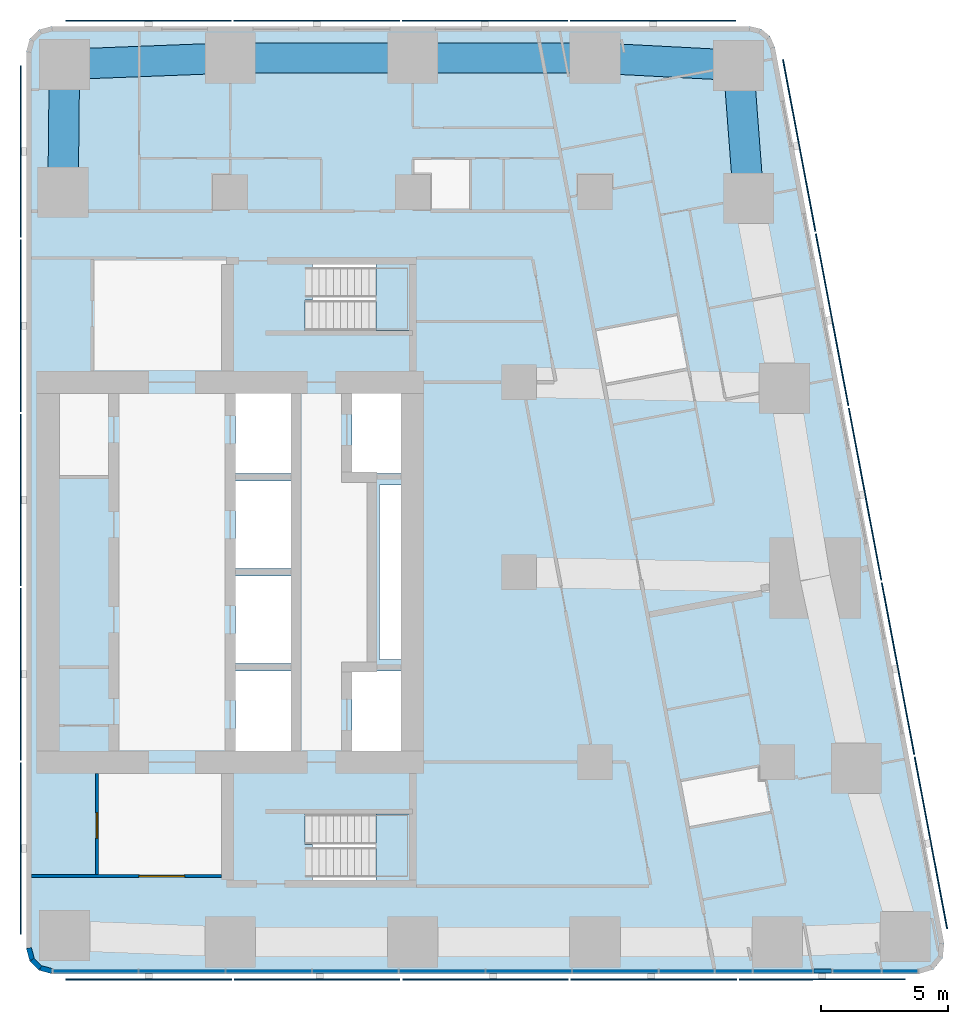
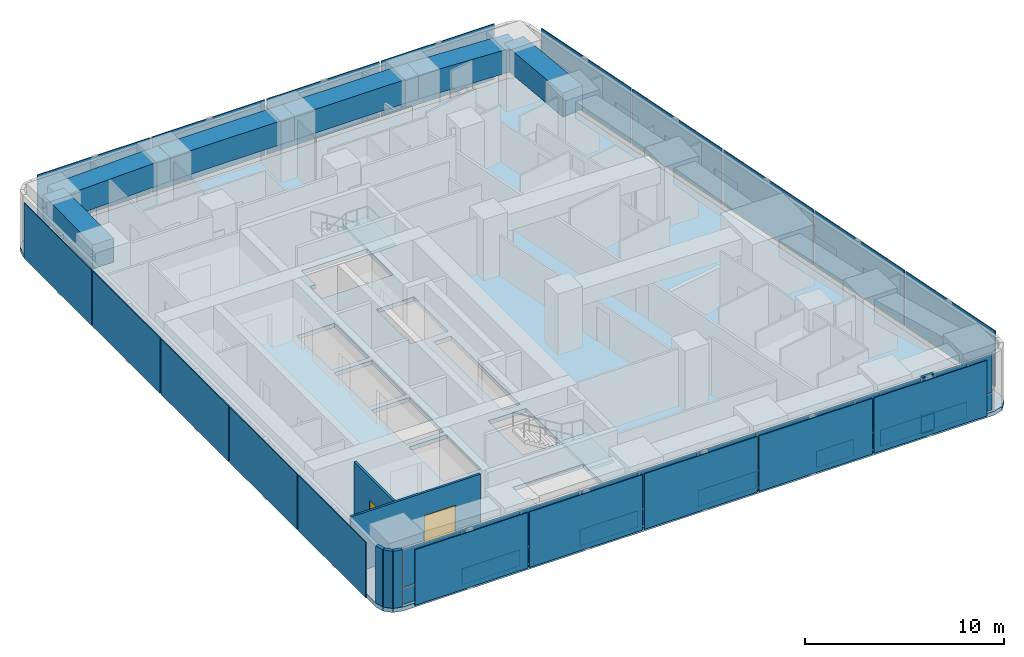
# One storey, part 4 of 10: 45 plates, 6 beams, 5 walls, 3 members, 3 slabs, 2 doors, 2 openings, 3 elements without a shape of their own.
"""IFC4 building model written with IfcOpenShell, lengths in metres."""

from ifc_helpers import new_model, si_unit, direction, frame, frame_2d, origin, origin_2d, place, context, subcontext, project, spatial, polyline, rectangle, outline, extrude, material, layer, layer_set, material_profile, profile_set, type_object, element, fill, aggregate, save


model = new_model("IFC4")

# Units and contexts
model_context = context("Model", 3, precision=1e-05, world=origin(), true_north=direction((0.0, 1.0)))
body_context = subcontext(model_context, "Body", "Model", "MODEL_VIEW")
ifc_project = project(units=[si_unit("LENGTHUNIT", "METRE"), si_unit("AREAUNIT", "SQUARE_METRE"), si_unit("VOLUMEUNIT", "CUBIC_METRE"), si_unit("PLANEANGLEUNIT", "RADIAN"), si_unit("MASSUNIT", "GRAM", prefix="KILO")], contexts=[model_context])

# Site, building, storey
site_placement = place(None, origin())
site = spatial("IfcSite", under=ifc_project, at=site_placement, CompositionType="ELEMENT")
building_placement = place(site_placement, origin())
building = spatial("IfcBuilding", under=site, at=building_placement, Name="Sheger Commons Tower", CompositionType="ELEMENT")
storey_placement = place(building_placement, frame((0.0, 0.0, 285.35009765625)))
storey = spatial("IfcBuildingStorey", under=building, at=storey_placement, Name="L73", CompositionType="ELEMENT", Elevation=285.35009765625)

# Beams
ifc_material_1 = material(Name="Concrete C50/60", Category="concrete")
ifc_material_profile_1 = material_profile(ifc_material_1, rectangle(XDim=1.199951171875, YDim=1.449951171875, at=origin_2d()), Name="RC 1200x1450")
ifc_profile_set_1 = profile_set([ifc_material_profile_1], Name="Concrete C50/60")
beam_type = type_object("IfcBeamType", Name="SPANDREL RC 1200x1450", PredefinedType="SPANDREL", material=ifc_profile_set_1)
beam_1_placement = place(storey_placement, frame((42.06396484375, 37.262939453125, 2.77490234375), z_axis=(-0.075496345854, 0.997146078447, 0.0), x_axis=(-0.997146078447, -0.075496345854, 0.0)))
element("IfcBeam", 1, at=beam_1_placement, inside=storey, type_object=beam_type, Name="Beam E/F-E/G-1.8 under L74", PredefinedType="SPANDREL", context=body_context, shape_type="SweptSolid", body=[
    extrude(rectangle(XDim=1.199951171875, YDim=1.449951171875, at=origin_2d()), origin(), (0.0, 0.0, 1.0), 5.258056640625),
])
beam_2_placement = place(storey_placement, frame((41.6669921875, 42.506103515625, 2.77490234375), z_axis=(-0.998657474351, 0.051800086124, 0.0), x_axis=(-0.051800086124, -0.998657474351, 0.0)))
element("IfcBeam", 2, at=beam_2_placement, inside=storey, type_object=beam_type, Name="Beam E/G-1.8-6/G-1.8 under L74", PredefinedType="SPANDREL", context=body_context, shape_type="SweptSolid", body=[
    extrude(rectangle(XDim=1.199951171875, YDim=1.449951171875, at=origin_2d()), origin(), (0.0, 0.0, 1.0), 5.674560546875),
])
for number, where, z_axis, x_axis, name in (
    (3, (36.0, 42.800048828125, 2.77490234375), (-1.0, 0.0, 0.0), (0.0, -1.0, 0.0), "Beam 6/G-1.8-5/G-1.8 under L74"),
    (4, (28.800048828125, 42.800048828125, 2.77490234375), (-1.0, 0.0, 0.0), (0.0, -1.0, 0.0), "Beam 5/G-1.8-4/G-1.8 under L74"),
):
    element("IfcBeam", number, at=place(storey_placement, frame(where, z_axis=z_axis, x_axis=x_axis)), inside=storey, type_object=beam_type, Name=name, PredefinedType="SPANDREL", context=body_context, shape_type="SweptSolid", body=[
        extrude(rectangle(XDim=1.199951171875, YDim=1.449951171875, at=origin_2d()), origin(), (0.0, 0.0, 1.0), 7.199951171875),
    ])
beam_3_placement = place(storey_placement, frame((21.60009765625, 42.800048828125, 2.77490234375), z_axis=(-0.999247181966, -0.038795223079, 0.0), x_axis=(0.038795223079, -0.999247181966, 0.0)))
element("IfcBeam", 5, at=beam_3_placement, inside=storey, type_object=beam_type, Name="Beam 4/G-1.8-3/G-1.8 under L74", PredefinedType="SPANDREL", context=body_context, shape_type="SweptSolid", body=[
    extrude(rectangle(XDim=1.199951171875, YDim=1.449951171875, at=origin_2d()), origin(), (0.0, 0.0, 1.0), 6.551025390625),
])
beam_4_placement = place(storey_placement, frame((15.053955078125, 42.5458984375, 2.77490234375), z_axis=(-0.010692247282, -0.99994283629, 0.0), x_axis=(0.99994283629, -0.010692247282, 0.0)))
element("IfcBeam", 6, at=beam_4_placement, inside=storey, type_object=beam_type, Name="Beam 3/G-1.8-3/F under L74", PredefinedType="SPANDREL", context=body_context, shape_type="SweptSolid", body=[
    extrude(rectangle(XDim=1.199951171875, YDim=1.449951171875, at=origin_2d()), origin(), (0.0, 0.0, 1.0), 5.046142578125),
])

# Curtain wall, members, plates
ifc_material_2 = material(Name="Black aluminium curtain wall, dark tinted glazing", Category="aluminium")
curtain_wall_type = type_object("IfcCurtainWallType", Name="CURTAIN WALL CW5 SOUTH GALLERY", PredefinedType="USERDEFINED", material=ifc_material_2)
curtain_wall_placement = place(storey_placement, origin())
curtain_wall = element("IfcCurtainWall", 7, at=curtain_wall_placement, inside=storey, type_object=curtain_wall_type, Name="Curtain Wall Cw5 South Gallery S1 L73", ObjectType="UNITISED CURTAIN WALL", PredefinedType="USERDEFINED")
ifc_material_3 = material(Name="Black anodised aluminium", Category="aluminium")
ifc_material_profile_2 = material_profile(ifc_material_3, rectangle(XDim=0.14990234375, YDim=0.06494140625, at=origin_2d()), Name="AL 65x150")
ifc_profile_set_2 = profile_set([ifc_material_profile_2], Name="Black anodised aluminium")
member_type = type_object("IfcMemberType", Name="TRANSOM AL 65x150", PredefinedType="USERDEFINED", material=ifc_profile_set_2)
member_1_placement = place(storey_placement, frame((44.638427734375, 6.75, 0.032470703125), z_axis=(1.0, 0.0, 0.0), x_axis=(0.0, 1.0, 0.0)))
member_1 = element("IfcMember", 8, at=member_1_placement, type_object=member_type, Name="CW5 transom 11.1", ObjectType="TRANSOM", PredefinedType="USERDEFINED", context=body_context, shape_type="SweptSolid", body=[
    extrude(rectangle(XDim=0.14990234375, YDim=0.06494140625, at=origin_2d()), origin(), (0.0, 0.0, 1.0), 0.694091796875),
])
member_2_placement = place(storey_placement, frame((44.638427734375, 6.75, 1.099853515625), z_axis=(1.0, 0.0, 0.0), x_axis=(0.0, 1.0, 0.0)))
member_2 = element("IfcMember", 9, at=member_2_placement, type_object=member_type, Name="CW5 transom 11.2", ObjectType="TRANSOM", PredefinedType="USERDEFINED", context=body_context, shape_type="SweptSolid", body=[
    extrude(rectangle(XDim=0.14990234375, YDim=0.06494140625, at=origin_2d()), origin(), (0.0, 0.0, 1.0), 0.694091796875),
])
member_3_placement = place(storey_placement, frame((44.638427734375, 6.75, 3.46728515625), z_axis=(1.0, 0.0, 0.0), x_axis=(0.0, 1.0, 0.0)))
member_3 = element("IfcMember", 10, at=member_3_placement, type_object=member_type, Name="CW5 transom 11.3", ObjectType="TRANSOM", PredefinedType="USERDEFINED", context=body_context, shape_type="SweptSolid", body=[
    extrude(rectangle(XDim=0.14990234375, YDim=0.06494140625, at=origin_2d()), origin(), (0.0, 0.0, 1.0), 0.694091796875),
])
ifc_material_4 = material(Name="Dark tinted double glazing", Category="glass")
ifc_layer_1 = layer(ifc_material_4, 0.031982421875)
ifc_layer_set_1 = layer_set([ifc_layer_1], Name="GLAZED PANEL 32")
plate_type_1 = type_object("IfcPlateType", Name="GLAZED PANEL 32", PredefinedType="CURTAIN_PANEL", material=ifc_layer_set_1)
plate_1_placement = place(storey_placement, frame((16.290283203125, 6.75, 0.06494140625), z_axis=(0.0, 0.0, 1.0), x_axis=(1.0, 0.0, 0.0)))
plate_1 = element("IfcPlate", 11, at=plate_1_placement, type_object=plate_type_1, Name="CW5 panel 1.1", PredefinedType="CURTAIN_PANEL", context=body_context, shape_type="SweptSolid", body=[
    extrude(rectangle(XDim=3.324462890625, YDim=0.031982421875, at=origin_2d()), origin(), (0.0, 0.0, 1.0), 1.00244140625),
])
plate_2_placement = place(storey_placement, frame((16.290283203125, 6.75, 1.13232421875), z_axis=(0.0, 0.0, 1.0), x_axis=(1.0, 0.0, 0.0)))
plate_2 = element("IfcPlate", 12, at=plate_2_placement, type_object=plate_type_1, Name="CW5 panel 1.2", PredefinedType="CURTAIN_PANEL", context=body_context, shape_type="SweptSolid", body=[
    extrude(rectangle(XDim=3.324462890625, YDim=0.031982421875, at=origin_2d()), origin(), (0.0, 0.0, 1.0), 2.302490234375),
])
plate_3_placement = place(storey_placement, frame((19.696533203125, 6.75, 0.06494140625), z_axis=(0.0, 0.0, 1.0), x_axis=(1.0, 0.0, 0.0)))
plate_3 = element("IfcPlate", 13, at=plate_3_placement, type_object=plate_type_1, Name="CW5 panel 2.1", PredefinedType="CURTAIN_PANEL", context=body_context, shape_type="SweptSolid", body=[
    extrude(rectangle(XDim=3.35791015625, YDim=0.031982421875, at=origin_2d()), origin(), (0.0, 0.0, 1.0), 1.00244140625),
])
plate_4_placement = place(storey_placement, frame((19.696533203125, 6.75, 1.13232421875), z_axis=(0.0, 0.0, 1.0), x_axis=(1.0, 0.0, 0.0)))
plate_4 = element("IfcPlate", 14, at=plate_4_placement, type_object=plate_type_1, Name="CW5 panel 2.2", PredefinedType="CURTAIN_PANEL", context=body_context, shape_type="SweptSolid", body=[
    extrude(rectangle(XDim=3.35791015625, YDim=0.031982421875, at=origin_2d()), origin(), (0.0, 0.0, 1.0), 2.302490234375),
])
plate_5_placement = place(storey_placement, frame((23.118896484375, 6.75, 0.06494140625), z_axis=(0.0, 0.0, 1.0), x_axis=(1.0, 0.0, 0.0)))
plate_5 = element("IfcPlate", 15, at=plate_5_placement, type_object=plate_type_1, Name="CW5 panel 3.1", PredefinedType="CURTAIN_PANEL", context=body_context, shape_type="SweptSolid", body=[
    extrude(rectangle(XDim=3.35693359375, YDim=0.031982421875, at=origin_2d()), origin(), (0.0, 0.0, 1.0), 1.00244140625),
])
plate_6_placement = place(storey_placement, frame((23.118896484375, 6.75, 1.13232421875), z_axis=(0.0, 0.0, 1.0), x_axis=(1.0, 0.0, 0.0)))
plate_6 = element("IfcPlate", 16, at=plate_6_placement, type_object=plate_type_1, Name="CW5 panel 3.2", PredefinedType="CURTAIN_PANEL", context=body_context, shape_type="SweptSolid", body=[
    extrude(rectangle(XDim=3.35693359375, YDim=0.031982421875, at=origin_2d()), origin(), (0.0, 0.0, 1.0), 2.302490234375),
])
plate_7_placement = place(storey_placement, frame((26.54150390625, 6.75, 0.06494140625), z_axis=(0.0, 0.0, 1.0), x_axis=(1.0, 0.0, 0.0)))
plate_7 = element("IfcPlate", 17, at=plate_7_placement, type_object=plate_type_1, Name="CW5 panel 4.1", PredefinedType="CURTAIN_PANEL", context=body_context, shape_type="SweptSolid", body=[
    extrude(rectangle(XDim=3.35791015625, YDim=0.031982421875, at=origin_2d()), origin(), (0.0, 0.0, 1.0), 1.00244140625),
])
plate_8_placement = place(storey_placement, frame((26.54150390625, 6.75, 1.13232421875), z_axis=(0.0, 0.0, 1.0), x_axis=(1.0, 0.0, 0.0)))
plate_8 = element("IfcPlate", 18, at=plate_8_placement, type_object=plate_type_1, Name="CW5 panel 4.2", PredefinedType="CURTAIN_PANEL", context=body_context, shape_type="SweptSolid", body=[
    extrude(rectangle(XDim=3.35791015625, YDim=0.031982421875, at=origin_2d()), origin(), (0.0, 0.0, 1.0), 2.302490234375),
])
plate_9_placement = place(storey_placement, frame((29.964111328125, 6.75, 0.06494140625), z_axis=(0.0, 0.0, 1.0), x_axis=(1.0, 0.0, 0.0)))
plate_9 = element("IfcPlate", 19, at=plate_9_placement, type_object=plate_type_1, Name="CW5 panel 5.1", PredefinedType="CURTAIN_PANEL", context=body_context, shape_type="SweptSolid", body=[
    extrude(rectangle(XDim=3.35693359375, YDim=0.031982421875, at=origin_2d()), origin(), (0.0, 0.0, 1.0), 1.00244140625),
])
plate_10_placement = place(storey_placement, frame((29.964111328125, 6.75, 1.13232421875), z_axis=(0.0, 0.0, 1.0), x_axis=(1.0, 0.0, 0.0)))
plate_10 = element("IfcPlate", 20, at=plate_10_placement, type_object=plate_type_1, Name="CW5 panel 5.2", PredefinedType="CURTAIN_PANEL", context=body_context, shape_type="SweptSolid", body=[
    extrude(rectangle(XDim=3.35693359375, YDim=0.031982421875, at=origin_2d()), origin(), (0.0, 0.0, 1.0), 2.302490234375),
])
plate_11_placement = place(storey_placement, frame((33.385986328125, 6.75, 0.06494140625), z_axis=(0.0, 0.0, 1.0), x_axis=(1.0, 0.0, 0.0)))
plate_11 = element("IfcPlate", 21, at=plate_11_placement, type_object=plate_type_1, Name="CW5 panel 6.1", PredefinedType="CURTAIN_PANEL", context=body_context, shape_type="SweptSolid", body=[
    extrude(rectangle(XDim=3.35693359375, YDim=0.031982421875, at=origin_2d()), origin(), (0.0, 0.0, 1.0), 1.00244140625),
])
plate_12_placement = place(storey_placement, frame((33.385986328125, 6.75, 1.13232421875), z_axis=(0.0, 0.0, 1.0), x_axis=(1.0, 0.0, 0.0)))
plate_12 = element("IfcPlate", 22, at=plate_12_placement, type_object=plate_type_1, Name="CW5 panel 6.2", PredefinedType="CURTAIN_PANEL", context=body_context, shape_type="SweptSolid", body=[
    extrude(rectangle(XDim=3.35693359375, YDim=0.031982421875, at=origin_2d()), origin(), (0.0, 0.0, 1.0), 2.302490234375),
])
plate_13_placement = place(storey_placement, frame((36.80859375, 6.75, 0.06494140625), z_axis=(0.0, 0.0, 1.0), x_axis=(1.0, 0.0, 0.0)))
plate_13 = element("IfcPlate", 23, at=plate_13_placement, type_object=plate_type_1, Name="CW5 panel 7.1", PredefinedType="CURTAIN_PANEL", context=body_context, shape_type="SweptSolid", body=[
    extrude(rectangle(XDim=3.35791015625, YDim=0.031982421875, at=origin_2d()), origin(), (0.0, 0.0, 1.0), 1.00244140625),
])
plate_14_placement = place(storey_placement, frame((36.80859375, 6.75, 1.13232421875), z_axis=(0.0, 0.0, 1.0), x_axis=(1.0, 0.0, 0.0)))
plate_14 = element("IfcPlate", 24, at=plate_14_placement, type_object=plate_type_1, Name="CW5 panel 7.2", PredefinedType="CURTAIN_PANEL", context=body_context, shape_type="SweptSolid", body=[
    extrude(rectangle(XDim=3.35791015625, YDim=0.031982421875, at=origin_2d()), origin(), (0.0, 0.0, 1.0), 2.302490234375),
])
plate_15_placement = place(storey_placement, frame((39.62451171875, 6.75, 0.06494140625), z_axis=(0.0, 0.0, 1.0), x_axis=(1.0, 0.0, 0.0)))
plate_15 = element("IfcPlate", 25, at=plate_15_placement, type_object=plate_type_1, Name="CW5 panel 8.1", PredefinedType="CURTAIN_PANEL", context=body_context, shape_type="SweptSolid", body=[
    extrude(rectangle(XDim=2.14404296875, YDim=0.031982421875, at=origin_2d()), origin(), (0.0, 0.0, 1.0), 1.00244140625),
])
plate_16_placement = place(storey_placement, frame((39.62451171875, 6.75, 1.13232421875), z_axis=(0.0, 0.0, 1.0), x_axis=(1.0, 0.0, 0.0)))
plate_16 = element("IfcPlate", 26, at=plate_16_placement, type_object=plate_type_1, Name="CW5 panel 8.2", PredefinedType="CURTAIN_PANEL", context=body_context, shape_type="SweptSolid", body=[
    extrude(rectangle(XDim=2.14404296875, YDim=0.031982421875, at=origin_2d()), origin(), (0.0, 0.0, 1.0), 2.302490234375),
])
plate_17_placement = place(storey_placement, frame((41.478515625, 6.75, 0.06494140625), z_axis=(0.0, 0.0, 1.0), x_axis=(1.0, 0.0, 0.0)))
plate_17 = element("IfcPlate", 27, at=plate_17_placement, type_object=plate_type_1, Name="CW5 panel 9.1", PredefinedType="CURTAIN_PANEL", context=body_context, shape_type="SweptSolid", body=[
    extrude(rectangle(XDim=1.43408203125, YDim=0.031982421875, at=origin_2d()), origin(), (0.0, 0.0, 1.0), 1.00244140625),
])
plate_18_placement = place(storey_placement, frame((41.478515625, 6.75, 1.13232421875), z_axis=(0.0, 0.0, 1.0), x_axis=(1.0, 0.0, 0.0)))
plate_18 = element("IfcPlate", 28, at=plate_18_placement, type_object=plate_type_1, Name="CW5 panel 9.2", PredefinedType="CURTAIN_PANEL", context=body_context, shape_type="SweptSolid", body=[
    extrude(rectangle(XDim=1.43408203125, YDim=0.031982421875, at=origin_2d()), origin(), (0.0, 0.0, 1.0), 2.302490234375),
])
plate_19_placement = place(storey_placement, frame((43.4169921875, 6.75, 0.06494140625), z_axis=(0.0, 0.0, 1.0), x_axis=(1.0, 0.0, 0.0)))
plate_19 = element("IfcPlate", 29, at=plate_19_placement, type_object=plate_type_1, Name="CW5 panel 10.1", PredefinedType="CURTAIN_PANEL", context=body_context, shape_type="SweptSolid", body=[
    extrude(rectangle(XDim=2.31298828125, YDim=0.031982421875, at=origin_2d()), origin(), (0.0, 0.0, 1.0), 1.00244140625),
])
plate_20_placement = place(storey_placement, frame((43.4169921875, 6.75, 1.13232421875), z_axis=(0.0, 0.0, 1.0), x_axis=(1.0, 0.0, 0.0)))
plate_20 = element("IfcPlate", 30, at=plate_20_placement, type_object=plate_type_1, Name="CW5 panel 10.2", PredefinedType="CURTAIN_PANEL", context=body_context, shape_type="SweptSolid", body=[
    extrude(rectangle(XDim=2.31298828125, YDim=0.031982421875, at=origin_2d()), origin(), (0.0, 0.0, 1.0), 2.302490234375),
])
plate_21_placement = place(storey_placement, frame((44.985595703125, 6.75, 0.06494140625), z_axis=(0.0, 0.0, 1.0), x_axis=(1.0, 0.0, 0.0)))
plate_21 = element("IfcPlate", 31, at=plate_21_placement, type_object=plate_type_1, Name="CW5 panel 11.1", PredefinedType="CURTAIN_PANEL", context=body_context, shape_type="SweptSolid", body=[
    extrude(rectangle(XDim=0.694091796875, YDim=0.031982421875, at=origin_2d()), origin(), (0.0, 0.0, 1.0), 1.00244140625),
])
plate_22_placement = place(storey_placement, frame((44.985595703125, 6.75, 1.13232421875), z_axis=(0.0, 0.0, 1.0), x_axis=(1.0, 0.0, 0.0)))
plate_22 = element("IfcPlate", 32, at=plate_22_placement, type_object=plate_type_1, Name="CW5 panel 11.2", PredefinedType="CURTAIN_PANEL", context=body_context, shape_type="SweptSolid", body=[
    extrude(rectangle(XDim=0.694091796875, YDim=0.031982421875, at=origin_2d()), origin(), (0.0, 0.0, 1.0), 2.302490234375),
])
plate_23_placement = place(storey_placement, frame((46.342041015625, 6.75, 0.06494140625), z_axis=(0.0, 0.0, 1.0), x_axis=(1.0, 0.0, 0.0)))
plate_23 = element("IfcPlate", 33, at=plate_23_placement, type_object=plate_type_1, Name="CW5 panel 12.1", PredefinedType="CURTAIN_PANEL", context=body_context, shape_type="SweptSolid", body=[
    extrude(rectangle(XDim=1.888916015625, YDim=0.031982421875, at=origin_2d()), origin(), (0.0, 0.0, 1.0), 1.00244140625),
])
plate_24_placement = place(storey_placement, frame((46.342041015625, 6.75, 1.13232421875), z_axis=(0.0, 0.0, 1.0), x_axis=(1.0, 0.0, 0.0)))
plate_24 = element("IfcPlate", 34, at=plate_24_placement, type_object=plate_type_1, Name="CW5 panel 12.2", PredefinedType="CURTAIN_PANEL", context=body_context, shape_type="SweptSolid", body=[
    extrude(rectangle(XDim=1.888916015625, YDim=0.031982421875, at=origin_2d()), origin(), (0.0, 0.0, 1.0), 2.302490234375),
])
plate_25_placement = place(storey_placement, frame((48.036865234375, 6.75, 0.06494140625), z_axis=(0.0, 0.0, 1.0), x_axis=(1.0, 0.0, 0.0)))
plate_25 = element("IfcPlate", 35, at=plate_25_placement, type_object=plate_type_1, Name="CW5 panel 13.1", PredefinedType="CURTAIN_PANEL", context=body_context, shape_type="SweptSolid", body=[
    extrude(rectangle(XDim=1.37060546875, YDim=0.031982421875, at=origin_2d()), origin(), (0.0, 0.0, 1.0), 1.00244140625),
])
plate_26_placement = place(storey_placement, frame((48.036865234375, 6.75, 1.13232421875), z_axis=(0.0, 0.0, 1.0), x_axis=(1.0, 0.0, 0.0)))
plate_26 = element("IfcPlate", 36, at=plate_26_placement, type_object=plate_type_1, Name="CW5 panel 13.2", PredefinedType="CURTAIN_PANEL", context=body_context, shape_type="SweptSolid", body=[
    extrude(rectangle(XDim=1.37060546875, YDim=0.031982421875, at=origin_2d()), origin(), (0.0, 0.0, 1.0), 2.302490234375),
])
aggregate(curtain_wall, [plate_1, plate_2, plate_3, plate_4, plate_5, plate_6, plate_7, plate_8, plate_9, plate_10, plate_11, plate_12, plate_13, plate_14, plate_15, plate_16, plate_17, plate_18, plate_19, plate_20, member_1, member_2, member_3, plate_21, plate_22, plate_23, plate_24, plate_25, plate_26])

# Slab
ifc_material_5 = material(Name="Concrete C35/45", Category="concrete")
ifc_layer_2 = layer(ifc_material_5, 0.25)
ifc_layer_set_2 = layer_set([ifc_layer_2], Name="SLAB FLOOR 250")
slab_type_1 = type_object("IfcSlabType", Name="SLAB FLOOR 250", PredefinedType="FLOOR", material=ifc_layer_set_2)
slab_1_placement = place(storey_placement, frame((0.0, 0.0, -0.25)))
element("IfcSlab", 37, at=slab_1_placement, inside=storey, type_object=slab_type_1, Name="L73 floor slab", PredefinedType="FLOOR", context=body_context, shape_type="SweptSolid", body=[
    extrude(outline(polyline([(13.550048828125, 7.64990234375), (13.68408203125, 7.14990234375), (14.050048828125, 6.783935546875), (14.550048828125, 6.64990234375), (48.802001953125, 6.64990234375), (49.35498046875, 6.81689453125), (49.72412109375, 7.260986328125), (49.784912109375, 7.8359375), (43.097900390625, 43.236083984375), (42.912109375, 43.654052734375), (42.56005859375, 43.945068359375), (42.114990234375, 44.050048828125), (14.550048828125, 44.050048828125), (14.050048828125, 43.916015625), (13.68408203125, 43.550048828125), (13.550048828125, 43.050048828125), (13.550048828125, 7.64990234375)]), holes=[polyline([(24.85009765625, 10.35009765625), (28.64990234375, 10.35009765625), (28.64990234375, 12.949951171875), (24.551025390625, 12.949951171875), (24.551025390625, 11.75), (24.85009765625, 11.75), (24.85009765625, 10.35009765625)]), polyline([(24.551025390625, 32.050048828125), (28.64990234375, 32.050048828125), (28.64990234375, 34.64990234375), (24.85009765625, 34.64990234375), (24.85009765625, 33.25), (24.551025390625, 33.25), (24.551025390625, 32.050048828125)]), polyline([(26.39990234375, 15.14990234375), (28.60009765625, 15.14990234375), (28.60009765625, 18.60009765625), (26.39990234375, 18.60009765625), (26.39990234375, 15.14990234375)]), polyline([(26.39990234375, 26.39990234375), (28.60009765625, 26.39990234375), (28.60009765625, 29.85009765625), (26.39990234375, 29.85009765625), (26.39990234375, 26.39990234375)]), polyline([(21.800048828125, 15.14990234375), (24.0, 15.14990234375), (24.0, 18.60009765625), (21.800048828125, 18.60009765625), (21.800048828125, 15.14990234375)]), polyline([(21.800048828125, 18.89990234375), (24.0, 18.89990234375), (24.0, 22.35009765625), (21.800048828125, 22.35009765625), (21.800048828125, 18.89990234375)]), polyline([(21.800048828125, 22.64990234375), (24.0, 22.64990234375), (24.0, 26.10009765625), (21.800048828125, 26.10009765625), (21.800048828125, 22.64990234375)]), polyline([(21.800048828125, 26.39990234375), (24.0, 26.39990234375), (24.0, 29.85009765625), (21.800048828125, 29.85009765625), (21.800048828125, 26.39990234375)]), polyline([(27.5, 19.050048828125), (28.5, 19.050048828125), (28.5, 25.949951171875), (27.5, 25.949951171875), (27.5, 19.050048828125)])]), origin(), (0.0, 0.0, 1.0), 0.25),
])

# Plates
ifc_material_6 = material(Name="Perforated black anodised aluminium screen", Category="aluminium")
ifc_layer_3 = layer(ifc_material_6, 0.050048828125)
ifc_layer_set_3 = layer_set([ifc_layer_3], Name="SOLAR SCREEN SCREEN-1")
plate_type_2 = type_object("IfcPlateType", Name="SOLAR SCREEN SCREEN-1", PredefinedType="USERDEFINED", material=ifc_layer_set_3)
for number, where, z_axis, x_axis, name in (
    (38, (18.375, 6.425048828125, 0.050048828125), (0.0, 0.0, 1.0), (1.0, 0.0, 0.0), "Perforated solar screen panel"),
    (39, (25.02587890625, 6.425048828125, 0.050048828125), (0.0, 0.0, 1.0), (1.0, 0.0, 0.0), "Perforated solar screen panel"),
    (40, (31.676025390625, 6.425048828125, 0.050048828125), (0.0, 0.0, 1.0), (1.0, 0.0, 0.0), "Perforated solar screen panel"),
    (41, (38.325927734375, 6.425048828125, 0.050048828125), (0.0, 0.0, 1.0), (1.0, 0.0, 0.0), "Perforated solar screen panel"),
    (42, (44.97705078125, 6.425048828125, 0.050048828125), (0.0, 0.0, 1.0), (1.0, 0.0, 0.0), "Perforated solar screen panel"),
):
    element("IfcPlate", number, at=place(storey_placement, frame(where, z_axis=z_axis, x_axis=x_axis)), inside=storey, type_object=plate_type_2, Name=name, ObjectType="SCREEN", PredefinedType="USERDEFINED", context=body_context, shape_type="SweptSolid", body=[
        extrude(rectangle(XDim=6.550048828125, YDim=0.050048828125, at=origin_2d()), origin(), (0.0, 0.0, 1.0), 3.39990234375),
    ])
for number, where, z_axis, x_axis, name in (
    (43, (49.262939453125, 11.81103515625, 0.050048828125), (0.0, 0.0, 1.0), (-0.185615165645, 0.982622516678, 0.0), "Perforated solar screen panel"),
    (44, (47.962890625, 18.694091796875, 0.050048828125), (0.0, 0.0, 1.0), (-0.185615165645, 0.982622516678, 0.0), "Perforated solar screen panel"),
    (45, (46.6630859375, 25.577880859375, 0.050048828125), (0.0, 0.0, 1.0), (-0.185615165645, 0.982622516678, 0.0), "Perforated solar screen panel"),
    (46, (45.362060546875, 32.4609375, 0.050048828125), (0.0, 0.0, 1.0), (-0.185615165645, 0.982622516678, 0.0), "Perforated solar screen panel"),
    (47, (44.06201171875, 39.344970703125, 0.050048828125), (0.0, 0.0, 1.0), (-0.185615165645, 0.982622516678, 0.0), "Perforated solar screen panel"),
):
    element("IfcPlate", number, at=place(storey_placement, frame(where, z_axis=z_axis, x_axis=x_axis)), inside=storey, type_object=plate_type_2, Name=name, ObjectType="SCREEN", PredefinedType="USERDEFINED", context=body_context, shape_type="SweptSolid", body=[
        extrude(rectangle(XDim=6.905029296875, YDim=0.050048828125, at=origin_2d()), origin(), (0.0, 0.0, 1.0), 3.39990234375),
    ])
for number, where, z_axis, x_axis, name in (
    (48, (38.2939453125, 44.27490234375, 0.050048828125), (0.0, 0.0, 1.0), (-1.0, 0.0, 0.0), "Perforated solar screen panel"),
    (49, (31.653076171875, 44.27490234375, 0.050048828125), (0.0, 0.0, 1.0), (-1.0, 0.0, 0.0), "Perforated solar screen panel"),
    (50, (25.011962890625, 44.27490234375, 0.050048828125), (0.0, 0.0, 1.0), (-1.0, 0.0, 0.0), "Perforated solar screen panel"),
    (51, (18.37109375, 44.27490234375, 0.050048828125), (0.0, 0.0, 1.0), (-1.0, 0.0, 0.0), "Perforated solar screen panel"),
):
    element("IfcPlate", number, at=place(storey_placement, frame(where, z_axis=z_axis, x_axis=x_axis)), inside=storey, type_object=plate_type_2, Name=name, ObjectType="SCREEN", PredefinedType="USERDEFINED", context=body_context, shape_type="SweptSolid", body=[
        extrude(rectangle(XDim=6.541015625, YDim=0.050048828125, at=origin_2d()), origin(), (0.0, 0.0, 1.0), 3.39990234375),
    ])
for number, where, z_axis, x_axis, name in (
    (52, (13.324951171875, 39.110107421875, 0.050048828125), (0.0, 0.0, 1.0), (0.0, -1.0, 0.0), "Perforated solar screen panel"),
    (53, (13.324951171875, 32.22998046875, 0.050048828125), (0.0, 0.0, 1.0), (0.0, -1.0, 0.0), "Perforated solar screen panel"),
    (54, (13.324951171875, 25.35009765625, 0.050048828125), (0.0, 0.0, 1.0), (0.0, -1.0, 0.0), "Perforated solar screen panel"),
    (55, (13.324951171875, 18.469970703125, 0.050048828125), (0.0, 0.0, 1.0), (0.0, -1.0, 0.0), "Perforated solar screen panel"),
    (56, (13.324951171875, 11.590087890625, 0.050048828125), (0.0, 0.0, 1.0), (0.0, -1.0, 0.0), "Perforated solar screen panel"),
):
    element("IfcPlate", number, at=place(storey_placement, frame(where, z_axis=z_axis, x_axis=x_axis)), inside=storey, type_object=plate_type_2, Name=name, ObjectType="SCREEN", PredefinedType="USERDEFINED", context=body_context, shape_type="SweptSolid", body=[
        extrude(rectangle(XDim=6.780029296875, YDim=0.050048828125, at=origin_2d()), origin(), (0.0, 0.0, 1.0), 3.39990234375),
    ])

# Stair, slab
ifc_material_7 = material(Name="Concrete C35/45", Category="concrete")
stair_type = type_object("IfcStairType", Name="HALF-TURN STAIR 1200 RISE 3750", PredefinedType="HALF_TURN_STAIR", material=ifc_material_7)
stair_1_placement = place(storey_placement, origin())
stair_1 = element("IfcStair", 57, at=stair_1_placement, inside=storey, type_object=stair_type, Name="Stair S1 L73", PredefinedType="HALF_TURN_STAIR")
ifc_material_8 = material(Name="Concrete C35/45", Category="concrete")
ifc_layer_4 = layer(ifc_material_8, 0.199951171875)
ifc_layer_set_4 = layer_set([ifc_layer_4], Name="STAIR LANDING 200")
slab_type_2 = type_object("IfcSlabType", Name="STAIR LANDING 200", PredefinedType="LANDING", material=ifc_layer_set_4)
slab_2_placement = place(storey_placement, frame((0.0, 0.0, 1.6748046875)))
slab_2 = element("IfcSlab", 58, at=slab_2_placement, type_object=slab_type_2, Name="S1 landing 1", PredefinedType="LANDING", context=body_context, shape_type="SweptSolid", body=[
    extrude(outline(polyline([(27.35009765625, 10.199951171875), (28.800048828125, 10.199951171875), (28.800048828125, 12.949951171875), (27.35009765625, 12.949951171875), (27.35009765625, 10.199951171875)])), origin(), (0.0, 0.0, 1.0), 0.2001953125),
])
aggregate(stair_1, [slab_2])

stair_2_placement = place(storey_placement, origin())
stair_2 = element("IfcStair", 59, at=stair_2_placement, inside=storey, type_object=stair_type, Name="Stair S2 L73", PredefinedType="HALF_TURN_STAIR")
slab_3_placement = place(storey_placement, frame((0.0, 0.0, 1.6748046875)))
slab_3 = element("IfcSlab", 60, at=slab_3_placement, type_object=slab_type_2, Name="S2 landing 1", PredefinedType="LANDING", context=body_context, shape_type="SweptSolid", body=[
    extrude(outline(polyline([(27.35009765625, 32.050048828125), (28.800048828125, 32.050048828125), (28.800048828125, 34.800048828125), (27.35009765625, 34.800048828125), (27.35009765625, 32.050048828125)])), origin(), (0.0, 0.0, 1.0), 0.2001953125),
])
aggregate(stair_2, [slab_3])

# Walls
ifc_material_9 = material(Name="Rendered concrete block masonry, dark grey", Category="masonry")
ifc_layer_5 = layer(ifc_material_9, 0.199951171875)
ifc_layer_set_5 = layer_set([ifc_layer_5], Name="FACADE WALL 200")
wall_type_1 = type_object("IfcWallType", Name="FACADE WALL 200", PredefinedType="SOLIDWALL", material=ifc_layer_set_5)
wall_1_placement = place(storey_placement, frame((13.64990234375, 7.6630859375, 0.0), z_axis=(0.0, 0.0, 1.0), x_axis=(0.259698463175, -0.965689757751, 0.0)))
element("IfcWall", 61, at=wall_1_placement, inside=storey, type_object=wall_type_1, Name="Facade wall L73", PredefinedType="SOLIDWALL", context=body_context, shape_type="SweptSolid", body=[
    extrude(rectangle(XDim=0.4775390625, YDim=0.199951171875, at=frame_2d((0.23876953125, 0.0))), origin(), (0.0, 0.0, 1.0), 3.5),
])
wall_2_placement = place(storey_placement, frame((13.77392578125, 7.201904296875, 0.0), z_axis=(0.0, 0.0, 1.0), x_axis=(0.707369890659, -0.706843573776, 0.0)))
element("IfcWall", 62, at=wall_2_placement, inside=storey, type_object=wall_type_1, Name="Facade wall L73", PredefinedType="SOLIDWALL", context=body_context, shape_type="SweptSolid", body=[
    extrude(rectangle(XDim=0.4638671875, YDim=0.199951171875, at=frame_2d((0.23193359375, 0.0))), origin(), (0.0, 0.0, 1.0), 3.5),
])
wall_3_placement = place(storey_placement, frame((14.10205078125, 6.8740234375, 0.0), z_axis=(0.0, 0.0, 1.0), x_axis=(0.965655254015, -0.259826731483, 0.0)))
element("IfcWall", 63, at=wall_3_placement, inside=storey, type_object=wall_type_1, Name="Facade wall L73", PredefinedType="SOLIDWALL", context=body_context, shape_type="SweptSolid", body=[
    extrude(rectangle(XDim=0.477294921875, YDim=0.199951171875, at=frame_2d((0.23876953125, 0.0))), origin(), (0.0, 0.0, 1.0), 3.5),
])

# Wall, opening, door
ifc_material_10 = material(Name="Gypsum board on steel studs, two layers each side, fire rated", Category="steel")
ifc_layer_6 = layer(ifc_material_10, 0.125)
ifc_layer_set_6 = layer_set([ifc_layer_6], Name="SERVICE WALL 125")
wall_type_2 = type_object("IfcWallType", Name="SERVICE WALL 125", PredefinedType="PARTITIONING", material=ifc_layer_set_6)
wall_4_placement = place(storey_placement, frame((13.75, 10.5, 0.0), z_axis=(0.0, 0.0, 1.0), x_axis=(1.0, 0.0, 0.0)))
wall_4 = element("IfcWall", 64, at=wall_4_placement, inside=storey, type_object=wall_type_2, Name="Service room wall L73", PredefinedType="PARTITIONING", context=body_context, shape_type="SweptSolid", body=[
    extrude(rectangle(XDim=7.5, YDim=0.125, at=frame_2d((3.75, 0.0))), origin(), (0.0, 0.0, 1.0), 3.5),
])
opening_1_placement = place(wall_4_placement, frame((4.2451171875, 0.0, 0.0)))
opening_1 = element("IfcOpeningElement", 65, at=opening_1_placement, cuts=wall_4, Name="Opening D6", PredefinedType="OPENING", context=body_context, shape_type="SweptSolid", body=[
    extrude(rectangle(XDim=1.800048828125, YDim=2.10009765625, at=frame_2d((0.89990234375, 1.050048828125))), frame((0.0, 0.072509765625, 0.0), z_axis=(0.0, -1.0, 0.0), x_axis=(1.0, 0.0, 0.0)), (0.0, 0.0, 1.0), 0.14501953125),
])
ifc_material_11 = material(Name="Steel door set, fire rated", Category="steel")
door_type_1 = type_object("IfcDoorType", Name="LOBBY DOUBLE DOOR 1800x2100", OperationType="DOUBLE_DOOR_SINGLE_SWING", PredefinedType="DOOR", material=ifc_material_11)
door_1_placement = place(opening_1_placement, origin())
door_1 = element("IfcDoor", 66, at=door_1_placement, inside=storey, type_object=door_type_1, Name="Lift lobby south door", OperationType="DOUBLE_DOOR_SINGLE_SWING", OverallHeight=2.10009765625, OverallWidth=1.800048828125, PredefinedType="DOOR", context=body_context, shape_type="SweptSolid", body=[
    extrude(rectangle(XDim=1.800048828125, YDim=2.10009765625, at=frame_2d((0.89990234375, 1.050048828125))), frame((0.0, 0.02490234375, 0.0), z_axis=(0.0, -1.0, 0.0), x_axis=(1.0, 0.0, 0.0)), (0.0, 0.0, 1.0), 0.050048828125),
])
fill(opening_1, door_1)

wall_5_placement = place(storey_placement, frame((16.340087890625, 10.56201171875, 0.0), z_axis=(0.0, 0.0, 1.0), x_axis=(0.0, 1.0, 0.0)))
wall_5 = element("IfcWall", 67, at=wall_5_placement, inside=storey, type_object=wall_type_2, Name="Service room wall L73", PredefinedType="PARTITIONING", context=body_context, shape_type="SweptSolid", body=[
    extrude(rectangle(XDim=3.988037109375, YDim=0.125, at=frame_2d((1.994140625, 0.0))), origin(), (0.0, 0.0, 1.0), 3.5),
])
opening_2_placement = place(wall_5_placement, frame((1.43798828125, 0.0, 0.0)))
opening_2 = element("IfcOpeningElement", 68, at=opening_2_placement, cuts=wall_5, Name="Opening D4", PredefinedType="OPENING", context=body_context, shape_type="SweptSolid", body=[
    extrude(rectangle(XDim=1.0, YDim=2.10009765625, at=frame_2d((0.5, 1.050048828125))), frame((0.0, 0.072509765625, 0.0), z_axis=(0.0, -1.0, 0.0), x_axis=(1.0, 0.0, 0.0)), (0.0, 0.0, 1.0), 0.14501953125),
])
ifc_material_12 = material(Name="Steel door set, fire rated", Category="steel")
door_type_2 = type_object("IfcDoorType", Name="SERVICE DOOR 1000x2100", OperationType="NOTDEFINED", PredefinedType="DOOR", material=ifc_material_12)
door_2_placement = place(opening_2_placement, origin())
door_2 = element("IfcDoor", 69, at=door_2_placement, inside=storey, type_object=door_type_2, Name="Electrical room door", OperationType="SINGLE_SWING_LEFT", OverallHeight=2.10009765625, OverallWidth=1.0, PredefinedType="DOOR", context=body_context, shape_type="SweptSolid", body=[
    extrude(rectangle(XDim=1.0, YDim=2.10009765625, at=frame_2d((0.5, 1.050048828125))), frame((0.0, 0.02490234375, 0.0), z_axis=(0.0, -1.0, 0.0), x_axis=(1.0, 0.0, 0.0)), (0.0, 0.0, 1.0), 0.050048828125),
])
fill(opening_2, door_2)

save(model, "model.ifc")
